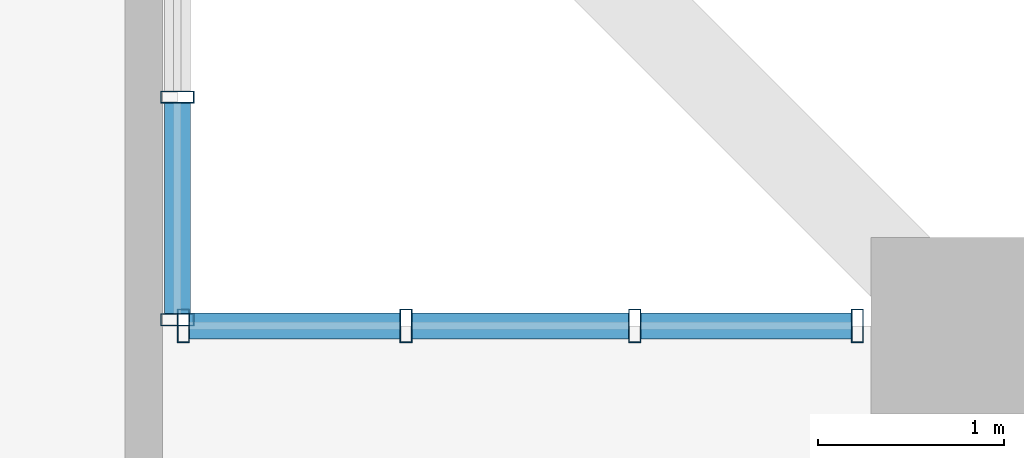
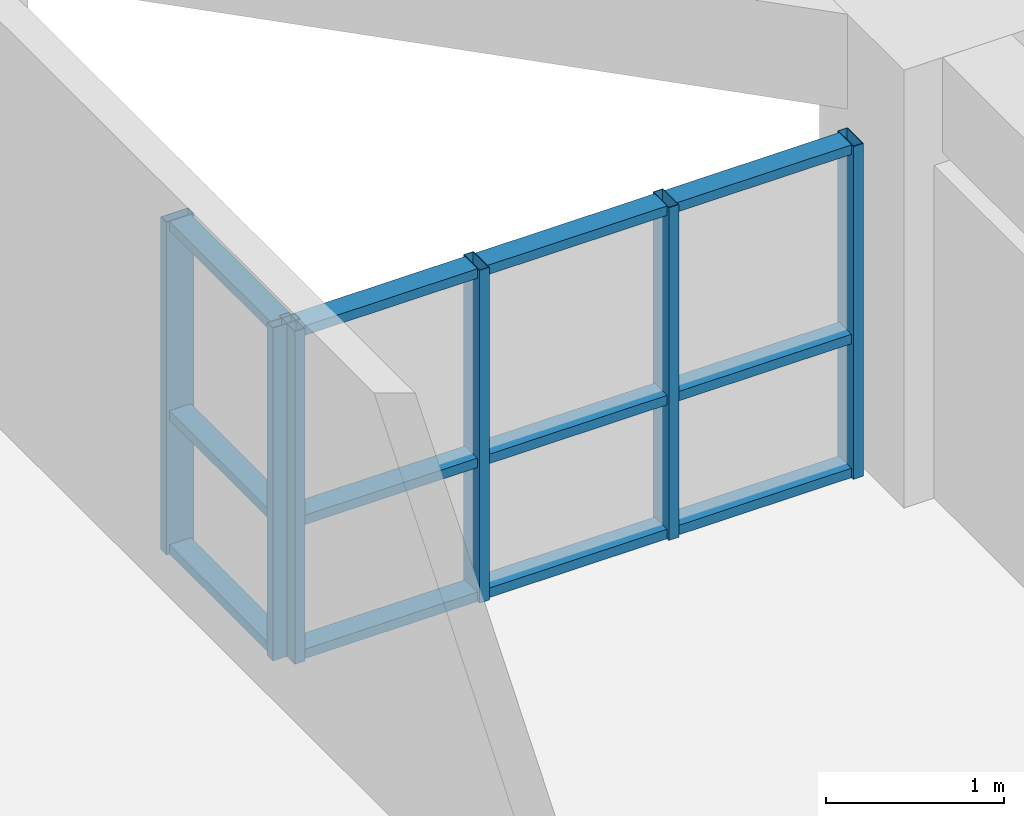
# One storey, part 10 of 26: 18 members, 2 elements without a shape of their own.
"""IFC4 building model written with IfcOpenShell, lengths in metres."""

from ifc_helpers import new_model, si_unit, direction, frame, origin, origin_2d, place, context, subcontext, project, spatial, hollow_rectangle, extrude, source, transform, mapped, material, layer, layer_set, material_profile, profile_set, type_object, element, aggregate, save


model = new_model("IFC4")

# Units and contexts
model_context = context("Model", 3, precision=1e-05, world=origin(), true_north=direction((0.0, 1.0)))
body_context = subcontext(model_context, "Body", "Model", "MODEL_VIEW")
ifc_project = project(units=[si_unit("LENGTHUNIT", "METRE"), si_unit("AREAUNIT", "SQUARE_METRE"), si_unit("VOLUMEUNIT", "CUBIC_METRE"), si_unit("PLANEANGLEUNIT", "RADIAN"), si_unit("MASSUNIT", "GRAM", prefix="KILO")], contexts=[model_context])

# Site, building, storey
site_placement = place(None, origin())
site = spatial("IfcSite", under=ifc_project, at=site_placement, CompositionType="ELEMENT")
building_placement = place(site_placement, origin())
building = spatial("IfcBuilding", under=site, at=building_placement, Name="Saelheon Loggia Tower", CompositionType="ELEMENT")
storey_placement = place(building_placement, frame((0.0, 0.0, 89.85009765625)))
storey = spatial("IfcBuildingStorey", under=building, at=storey_placement, Name="L28", CompositionType="ELEMENT", Elevation=89.85009765625)

# Curtain wall, members
ifc_material_1 = material(Name="Thermal-Break Aluminium and Triple Low-E Glass", Category="aluminium")
ifc_layer = layer(ifc_material_1, 0.159912109375)
ifc_layer_set = layer_set([ifc_layer], Name="Thermal-Break Aluminium and Triple Low-E Glass")
curtain_wall_type = type_object("IfcCurtainWallType", Name="CW_TowerLoggiaLow", PredefinedType="NOTDEFINED", material=ifc_layer_set)
curtain_wall_1_placement = place(storey_placement, origin())
curtain_wall_1 = element("IfcCurtainWall", 1, at=curtain_wall_1_placement, inside=storey, type_object=curtain_wall_type, Name="L28 Corner Notch Glazing NE1", PredefinedType="NOTDEFINED")
ifc_material_2 = material(Name="Anodised Aluminium 6063-T6", Category="aluminium")
ifc_material_profile_1 = material_profile(ifc_material_2, hollow_rectangle(XDim=0.06494140625, YDim=0.179931640625, WallThickness=0.00390625, at=origin_2d()), Name="RHS-180x65x4")
ifc_profile_set_1 = profile_set([ifc_material_profile_1], Name="Anodised Aluminium 6063-T6")
member_type_1 = type_object("IfcMemberType", Name="CW_TowerLoggiaLow_Mullion", PredefinedType="MULLION", material=ifc_profile_set_1)
shared_shape_1 = source(origin(), body_context, "Body", "SweptSolid", [
    extrude(hollow_rectangle(XDim=0.06494140625, YDim=0.179931640625, WallThickness=0.00390625, at=origin_2d()), origin(), (0.0, 0.0, 1.0), 2.27978515625),
])
member_1_placement = place(storey_placement, frame((59.800048828125, 46.83251953125, 0.0), z_axis=(0.0, 0.0, 1.0), x_axis=(0.0, 1.0, 0.0)))
member_1 = element("IfcMember", 2, at=member_1_placement, type_object=member_type_1, Name="CW3 mullion 1", PredefinedType="MULLION", context=body_context, shape_type="MappedRepresentation", body=[
    mapped(shared_shape_1, transform((0.0, 0.0, 0.0), scale=1.0)),
])
member_2_placement = place(storey_placement, frame((59.800048828125, 48.0283203125, 0.0), z_axis=(0.0, 0.0, 1.0), x_axis=(0.0, 1.0, 0.0)))
member_2 = element("IfcMember", 3, at=member_2_placement, type_object=member_type_1, Name="CW3 mullion 2", PredefinedType="MULLION", context=body_context, shape_type="MappedRepresentation", body=[
    mapped(shared_shape_1, transform((0.0, 0.0, 0.0), scale=1.0)),
])

curtain_wall_2_placement = place(storey_placement, origin())
curtain_wall_2 = element("IfcCurtainWall", 4, at=curtain_wall_2_placement, inside=storey, type_object=curtain_wall_type, Name="L28 Corner Notch Glazing NE2", PredefinedType="NOTDEFINED")
member_3_placement = place(storey_placement, frame((59.83251953125, 46.800048828125, 0.0), z_axis=(0.0, 0.0, 1.0), x_axis=(1.0, 0.0, 0.0)))
member_3 = element("IfcMember", 5, at=member_3_placement, type_object=member_type_1, Name="CW3 mullion 1", PredefinedType="MULLION", context=body_context, shape_type="MappedRepresentation", body=[
    mapped(shared_shape_1, transform((0.0, 0.0, 0.0), scale=1.0)),
])
member_4_placement = place(storey_placement, frame((61.0283203125, 46.800048828125, 0.0), z_axis=(0.0, 0.0, 1.0), x_axis=(1.0, 0.0, 0.0)))
member_4 = element("IfcMember", 6, at=member_4_placement, type_object=member_type_1, Name="CW3 mullion 2", PredefinedType="MULLION", context=body_context, shape_type="MappedRepresentation", body=[
    mapped(shared_shape_1, transform((0.0, 0.0, 0.0), scale=1.0)),
])
member_5_placement = place(storey_placement, frame((62.256591796875, 46.800048828125, 0.0), z_axis=(0.0, 0.0, 1.0), x_axis=(1.0, 0.0, 0.0)))
member_5 = element("IfcMember", 7, at=member_5_placement, type_object=member_type_1, Name="CW3 mullion 3", PredefinedType="MULLION", context=body_context, shape_type="MappedRepresentation", body=[
    mapped(shared_shape_1, transform((0.0, 0.0, 0.0), scale=1.0)),
])
member_6_placement = place(storey_placement, frame((63.452392578125, 46.800048828125, 0.0), z_axis=(0.0, 0.0, 1.0), x_axis=(1.0, 0.0, 0.0)))
member_6 = element("IfcMember", 8, at=member_6_placement, type_object=member_type_1, Name="CW3 mullion 4", PredefinedType="MULLION", context=body_context, shape_type="MappedRepresentation", body=[
    mapped(shared_shape_1, transform((0.0, 0.0, 0.0), scale=1.0)),
])

# Member
ifc_material_profile_2 = material_profile(ifc_material_2, hollow_rectangle(XDim=0.06494140625, YDim=0.139892578125, WallThickness=0.00390625, at=origin_2d()), Name="RHS-140x65x4")
ifc_profile_set_2 = profile_set([ifc_material_profile_2], Name="Anodised Aluminium 6063-T6")
member_type_2 = type_object("IfcMemberType", Name="CW_TowerLoggiaLow_Transom", PredefinedType="USERDEFINED", material=ifc_profile_set_2)
shared_shape_2 = source(origin(), body_context, "Body", "SweptSolid", [
    extrude(hollow_rectangle(XDim=0.06494140625, YDim=0.139892578125, WallThickness=0.00390625, at=origin_2d()), origin(), (0.0, 0.0, 1.0), 1.130859375),
])
member_7_placement = place(storey_placement, frame((59.800048828125, 46.864990234375, 0.032470703125), z_axis=(0.0, 1.0, 0.0), x_axis=(0.0, 0.0, 1.0)))
member_7 = element("IfcMember", 9, at=member_7_placement, type_object=member_type_2, Name="CW3 transom 1.1", ObjectType="TRANSOM", PredefinedType="USERDEFINED", context=body_context, shape_type="MappedRepresentation", body=[
    mapped(shared_shape_2, transform((0.0, 0.0, 0.0), scale=1.0)),
])

member_8_placement = place(storey_placement, frame((59.800048828125, 46.864990234375, 0.949951171875), z_axis=(0.0, 1.0, 0.0), x_axis=(0.0, 0.0, 1.0)))
member_8 = element("IfcMember", 10, at=member_8_placement, type_object=member_type_2, Name="CW3 transom 1.2", ObjectType="TRANSOM", PredefinedType="USERDEFINED", context=body_context, shape_type="MappedRepresentation", body=[
    mapped(shared_shape_2, transform((0.0, 0.0, 0.0), scale=1.0)),
])

member_9_placement = place(storey_placement, frame((59.800048828125, 46.864990234375, 2.247314453125), z_axis=(0.0, 1.0, 0.0), x_axis=(0.0, 0.0, 1.0)))
member_9 = element("IfcMember", 11, at=member_9_placement, type_object=member_type_2, Name="CW3 transom 1.3", ObjectType="TRANSOM", PredefinedType="USERDEFINED", context=body_context, shape_type="MappedRepresentation", body=[
    mapped(shared_shape_2, transform((0.0, 0.0, 0.0), scale=1.0)),
])

aggregate(curtain_wall_1, [member_1, member_2, member_7, member_8, member_9])

member_10_placement = place(storey_placement, frame((59.864990234375, 46.800048828125, 0.032470703125), z_axis=(1.0, 0.0, 0.0), x_axis=(0.0, 0.0, 1.0)))
member_10 = element("IfcMember", 12, at=member_10_placement, type_object=member_type_2, Name="CW3 transom 1.1", ObjectType="TRANSOM", PredefinedType="USERDEFINED", context=body_context, shape_type="MappedRepresentation", body=[
    mapped(shared_shape_2, transform((0.0, 0.0, 0.0), scale=1.0)),
])

member_11_placement = place(storey_placement, frame((59.864990234375, 46.800048828125, 0.949951171875), z_axis=(1.0, 0.0, 0.0), x_axis=(0.0, 0.0, 1.0)))
member_11 = element("IfcMember", 13, at=member_11_placement, type_object=member_type_2, Name="CW3 transom 1.2", ObjectType="TRANSOM", PredefinedType="USERDEFINED", context=body_context, shape_type="MappedRepresentation", body=[
    mapped(shared_shape_2, transform((0.0, 0.0, 0.0), scale=1.0)),
])

member_12_placement = place(storey_placement, frame((59.864990234375, 46.800048828125, 2.247314453125), z_axis=(1.0, 0.0, 0.0), x_axis=(0.0, 0.0, 1.0)))
member_12 = element("IfcMember", 14, at=member_12_placement, type_object=member_type_2, Name="CW3 transom 1.3", ObjectType="TRANSOM", PredefinedType="USERDEFINED", context=body_context, shape_type="MappedRepresentation", body=[
    mapped(shared_shape_2, transform((0.0, 0.0, 0.0), scale=1.0)),
])

member_13_placement = place(storey_placement, frame((62.2890625, 46.800048828125, 0.032470703125), z_axis=(1.0, 0.0, 0.0), x_axis=(0.0, 0.0, 1.0)))
member_13 = element("IfcMember", 15, at=member_13_placement, type_object=member_type_2, Name="CW3 transom 3.1", ObjectType="TRANSOM", PredefinedType="USERDEFINED", context=body_context, shape_type="MappedRepresentation", body=[
    mapped(shared_shape_2, transform((0.0, 0.0, 0.0), scale=1.0)),
])

member_14_placement = place(storey_placement, frame((62.2890625, 46.800048828125, 0.949951171875), z_axis=(1.0, 0.0, 0.0), x_axis=(0.0, 0.0, 1.0)))
member_14 = element("IfcMember", 16, at=member_14_placement, type_object=member_type_2, Name="CW3 transom 3.2", ObjectType="TRANSOM", PredefinedType="USERDEFINED", context=body_context, shape_type="MappedRepresentation", body=[
    mapped(shared_shape_2, transform((0.0, 0.0, 0.0), scale=1.0)),
])

member_15_placement = place(storey_placement, frame((62.2890625, 46.800048828125, 2.247314453125), z_axis=(1.0, 0.0, 0.0), x_axis=(0.0, 0.0, 1.0)))
member_15 = element("IfcMember", 17, at=member_15_placement, type_object=member_type_2, Name="CW3 transom 3.3", ObjectType="TRANSOM", PredefinedType="USERDEFINED", context=body_context, shape_type="MappedRepresentation", body=[
    mapped(shared_shape_2, transform((0.0, 0.0, 0.0), scale=1.0)),
])

shared_shape_3 = source(origin(), body_context, "Body", "SweptSolid", [
    extrude(hollow_rectangle(XDim=0.06494140625, YDim=0.139892578125, WallThickness=0.00390625, at=origin_2d()), origin(), (0.0, 0.0, 1.0), 1.163330078125),
])
member_16_placement = place(storey_placement, frame((61.060791015625, 46.800048828125, 0.032470703125), z_axis=(1.0, 0.0, 0.0), x_axis=(0.0, 0.0, 1.0)))
member_16 = element("IfcMember", 18, at=member_16_placement, type_object=member_type_2, Name="CW3 transom 2.1", ObjectType="TRANSOM", PredefinedType="USERDEFINED", context=body_context, shape_type="MappedRepresentation", body=[
    mapped(shared_shape_3, transform((0.0, 0.0, 0.0), scale=1.0)),
])

member_17_placement = place(storey_placement, frame((61.060791015625, 46.800048828125, 0.949951171875), z_axis=(1.0, 0.0, 0.0), x_axis=(0.0, 0.0, 1.0)))
member_17 = element("IfcMember", 19, at=member_17_placement, type_object=member_type_2, Name="CW3 transom 2.2", ObjectType="TRANSOM", PredefinedType="USERDEFINED", context=body_context, shape_type="MappedRepresentation", body=[
    mapped(shared_shape_3, transform((0.0, 0.0, 0.0), scale=1.0)),
])

member_18_placement = place(storey_placement, frame((61.060791015625, 46.800048828125, 2.247314453125), z_axis=(1.0, 0.0, 0.0), x_axis=(0.0, 0.0, 1.0)))
member_18 = element("IfcMember", 20, at=member_18_placement, type_object=member_type_2, Name="CW3 transom 2.3", ObjectType="TRANSOM", PredefinedType="USERDEFINED", context=body_context, shape_type="MappedRepresentation", body=[
    mapped(shared_shape_3, transform((0.0, 0.0, 0.0), scale=1.0)),
])

aggregate(curtain_wall_2, [member_3, member_4, member_5, member_6, member_10, member_11, member_12, member_16, member_17, member_18, member_13, member_14, member_15])

save(model, "model.ifc")
